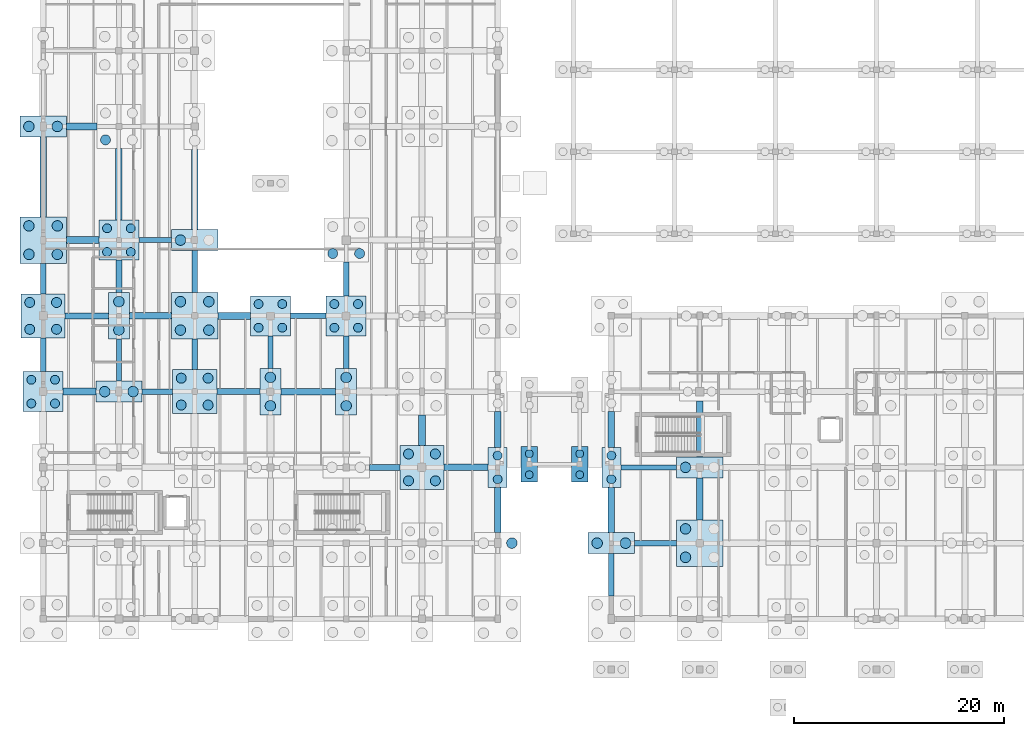
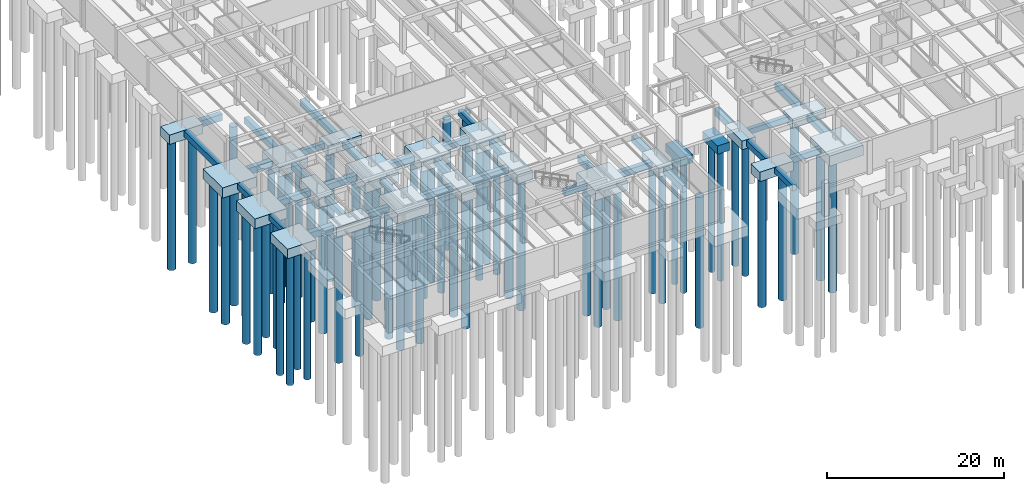
# One storey, part 2 of 63: 64 piles, 57 footings.
"""IFC4 building model written with IfcOpenShell, lengths in metres."""

from ifc_helpers import new_model, si_unit, direction, frame, origin, origin_2d, place, context, subcontext, project, spatial, rectangle, circle, extrude, material, material_profile, profile_set, type_object, element, save


model = new_model("IFC4")

# Units and contexts
model_context = context("Model", 3, precision=1e-05, world=origin(), true_north=direction((0.0, 1.0)))
body_context = subcontext(model_context, "Body", "Model", "MODEL_VIEW")
ifc_project = project(units=[si_unit("LENGTHUNIT", "METRE"), si_unit("AREAUNIT", "SQUARE_METRE"), si_unit("VOLUMEUNIT", "CUBIC_METRE"), si_unit("PLANEANGLEUNIT", "RADIAN"), si_unit("MASSUNIT", "GRAM", prefix="KILO")], contexts=[model_context])

# Site, building, storey
site_placement = place(None, origin())
site = spatial("IfcSite", under=ifc_project, at=site_placement, CompositionType="ELEMENT")
building_placement = place(site_placement, origin())
building = spatial("IfcBuilding", under=site, at=building_placement, Name="Mazaris Harbour Polytechnic", CompositionType="ELEMENT")
storey_placement = place(building_placement, frame((0.0, 0.0, -4.5)))
storey = spatial("IfcBuildingStorey", under=building, at=storey_placement, Name="B1", CompositionType="ELEMENT", Elevation=-4.5)

# Piles
ifc_material_1 = material(Name="Concrete C35/45", Category="concrete")
ifc_material_profile_1 = material_profile(ifc_material_1, circle(Radius=0.5, at=origin_2d()), Name="DIA1000")
ifc_profile_set_1 = profile_set([ifc_material_profile_1], Name="Concrete C35/45")
pile_type_1 = type_object("IfcPileType", Name="Bored Pile 1000", PredefinedType="BORED", material=ifc_profile_set_1)
for number, where, z_axis, x_axis, name in (
    (1, (52.64990234375, 14.39990234375, -1.6201171875), (0.0, 0.0, -1.0), (1.0, 0.0, 0.0), "Bored Pile BP-113-1"),
    (2, (55.35009765625, 14.39990234375, -1.6201171875), (0.0, 0.0, -1.0), (1.0, 0.0, 0.0), "Bored Pile BP-113-2"),
    (3, (61.050048828125, 13.050048828125, -1.719970703125), (0.0, 0.0, -1.0), (1.0, 0.0, 0.0), "Bored Pile BP-118-1"),
    (4, (61.050048828125, 15.75, -1.719970703125), (0.0, 0.0, -1.0), (1.0, 0.0, 0.0), "Bored Pile BP-118-3"),
    (5, (61.050048828125, 21.60009765625, -1.6201171875), (0.0, 0.0, -1.0), (1.0, 0.0, 0.0), "Bored Pile BP-119-1"),
    (6, (-1.35009765625, 41.85009765625, -1.719970703125), (0.0, 0.0, -1.0), (1.0, 0.0, 0.0), "Bored Pile BP-157-1"),
    (7, (1.35009765625, 41.85009765625, -1.719970703125), (0.0, 0.0, -1.0), (1.0, 0.0, 0.0), "Bored Pile BP-157-2"),
    (8, (-1.35009765625, 44.550048828125, -1.719970703125), (0.0, 0.0, -1.0), (1.0, 0.0, 0.0), "Bored Pile BP-157-3"),
    (9, (1.35009765625, 44.550048828125, -1.719970703125), (0.0, 0.0, -1.0), (1.0, 0.0, 0.0), "Bored Pile BP-157-4"),
    (10, (-1.35009765625, 54.0, -1.6201171875), (0.0, 0.0, -1.0), (1.0, 0.0, 0.0), "Bored Pile BP-158-1"),
    (11, (1.35009765625, 54.0, -1.6201171875), (0.0, 0.0, -1.0), (1.0, 0.0, 0.0), "Bored Pile BP-158-2"),
    (12, (5.85009765625, 28.800048828125, -1.6201171875), (0.0, 0.0, -1.0), (1.0, 0.0, 0.0), "Bored Pile BP-168-1"),
    (13, (8.550048828125, 28.800048828125, -1.6201171875), (0.0, 0.0, -1.0), (1.0, 0.0, 0.0), "Bored Pile BP-168-2"),
    (14, (7.199951171875, 34.64990234375, -1.6201171875), (0.0, 0.0, -1.0), (1.0, 0.0, 0.0), "Bored Pile BP-169-1"),
    (15, (7.199951171875, 37.35009765625, -1.6201171875), (0.0, 0.0, -1.0), (1.0, 0.0, 0.0), "Bored Pile BP-169-2"),
    (16, (13.050048828125, 34.64990234375, -1.719970703125), (0.0, 0.0, -1.0), (1.0, 0.0, 0.0), "Bored Pile BP-182-1"),
    (17, (15.75, 34.64990234375, -1.719970703125), (0.0, 0.0, -1.0), (1.0, 0.0, 0.0), "Bored Pile BP-182-2"),
    (18, (13.050048828125, 37.35009765625, -1.719970703125), (0.0, 0.0, -1.0), (1.0, 0.0, 0.0), "Bored Pile BP-182-3"),
    (19, (15.75, 37.35009765625, -1.719970703125), (0.0, 0.0, -1.0), (1.0, 0.0, 0.0), "Bored Pile BP-182-4"),
    (20, (13.050048828125, 43.199951171875, -1.6201171875), (0.0, 0.0, -1.0), (1.0, 0.0, 0.0), "Bored Pile BP-183-1"),
    (21, (21.60009765625, 27.449951171875, -1.6201171875), (0.0, 0.0, -1.0), (1.0, 0.0, 0.0), "Bored Pile BP-194-1"),
    (22, (21.60009765625, 30.14990234375, -1.6201171875), (0.0, 0.0, -1.0), (1.0, 0.0, 0.0), "Bored Pile BP-194-2"),
    (23, (28.800048828125, 27.449951171875, -1.6201171875), (0.0, 0.0, -1.0), (1.0, 0.0, 0.0), "Bored Pile BP-204-1"),
    (24, (28.800048828125, 30.14990234375, -1.6201171875), (0.0, 0.0, -1.0), (1.0, 0.0, 0.0), "Bored Pile BP-204-2"),
    (25, (44.550048828125, 14.39990234375, -1.6201171875), (0.0, 0.0, -1.0), (1.0, 0.0, 0.0), "Bored Pile BP-228-2"),
):
    element("IfcPile", number, at=place(storey_placement, frame(where, z_axis=z_axis, x_axis=x_axis)), inside=storey, type_object=pile_type_1, Name=name, PredefinedType="BORED", context=body_context, shape_type="SweptSolid", body=[
        extrude(circle(Radius=0.5, at=origin_2d()), origin(), (0.0, 0.0, 1.0), 18.0),
    ])
ifc_material_2 = material(Name="Concrete C35/45", Category="concrete")
ifc_material_profile_2 = material_profile(ifc_material_2, circle(Radius=0.375, at=origin_2d()), Name="DIA750")
ifc_profile_set_2 = profile_set([ifc_material_profile_2], Name="Concrete C35/45")
pile_type_2 = type_object("IfcPileType", Name="Bored Pile 750", PredefinedType="BORED", material=ifc_profile_set_2)
for number, where, z_axis, x_axis, name in (
    (26, (46.199951171875, 20.90625, -1.429931640625), (0.0, 0.0, -1.0), (1.0, 0.0, 0.0), "Bored Pile BP-314-1"),
    (27, (46.199951171875, 22.893798828125, -1.429931640625), (0.0, 0.0, -1.0), (1.0, 0.0, 0.0), "Bored Pile BP-314-2"),
    (28, (51.0, 20.90625, -1.429931640625), (0.0, 0.0, -1.0), (1.0, 0.0, 0.0), "Bored Pile BP-316-1"),
    (29, (51.0, 22.893798828125, -1.429931640625), (0.0, 0.0, -1.0), (1.0, 0.0, 0.0), "Bored Pile BP-316-2"),
):
    element("IfcPile", number, at=place(storey_placement, frame(where, z_axis=z_axis, x_axis=x_axis)), inside=storey, type_object=pile_type_2, Name=name, PredefinedType="BORED", context=body_context, shape_type="SweptSolid", body=[
        extrude(circle(Radius=0.375, at=origin_2d()), origin(), (0.0, 0.0, 1.0), 18.0),
    ])
ifc_material_3 = material(Name="Concrete C35/45", Category="concrete")
ifc_material_profile_3 = material_profile(ifc_material_3, circle(Radius=0.425048828125, at=origin_2d()), Name="DIA850")
ifc_profile_set_3 = profile_set([ifc_material_profile_3], Name="Concrete C35/45")
pile_type_3 = type_object("IfcPileType", Name="Bored Pile 850", PredefinedType="BORED", material=ifc_profile_set_3)
for number, where, z_axis, x_axis, name in (
    (30, (54.0, 20.473876953125, -1.52001953125), (0.0, 0.0, -1.0), (1.0, 0.0, 0.0), "Bored Pile BP-114-1"),
    (31, (54.0, 22.726318359375, -1.52001953125), (0.0, 0.0, -1.0), (1.0, 0.0, 0.0), "Bored Pile BP-114-2"),
    (32, (-1.126220703125, 27.673828125, -1.6201171875), (0.0, 0.0, -1.0), (1.0, 0.0, 0.0), "Bored Pile BP-155-1"),
    (33, (1.126220703125, 27.673828125, -1.6201171875), (0.0, 0.0, -1.0), (1.0, 0.0, 0.0), "Bored Pile BP-155-2"),
    (34, (-1.126220703125, 29.92626953125, -1.6201171875), (0.0, 0.0, -1.0), (1.0, 0.0, 0.0), "Bored Pile BP-155-3"),
    (35, (1.126220703125, 29.92626953125, -1.6201171875), (0.0, 0.0, -1.0), (1.0, 0.0, 0.0), "Bored Pile BP-155-4"),
    (36, (6.07373046875, 42.07373046875, -1.6201171875), (0.0, 0.0, -1.0), (1.0, 0.0, 0.0), "Bored Pile BP-170-1"),
    (37, (8.326171875, 42.07373046875, -1.6201171875), (0.0, 0.0, -1.0), (1.0, 0.0, 0.0), "Bored Pile BP-170-2"),
    (38, (6.07373046875, 44.326171875, -1.6201171875), (0.0, 0.0, -1.0), (1.0, 0.0, 0.0), "Bored Pile BP-170-3"),
    (39, (8.326171875, 44.326171875, -1.6201171875), (0.0, 0.0, -1.0), (1.0, 0.0, 0.0), "Bored Pile BP-170-4"),
    (40, (20.473876953125, 34.873779296875, -1.6201171875), (0.0, 0.0, -1.0), (1.0, 0.0, 0.0), "Bored Pile BP-195-1"),
    (41, (22.726318359375, 34.873779296875, -1.6201171875), (0.0, 0.0, -1.0), (1.0, 0.0, 0.0), "Bored Pile BP-195-2"),
    (42, (20.473876953125, 37.126220703125, -1.6201171875), (0.0, 0.0, -1.0), (1.0, 0.0, 0.0), "Bored Pile BP-195-3"),
    (43, (22.726318359375, 37.126220703125, -1.6201171875), (0.0, 0.0, -1.0), (1.0, 0.0, 0.0), "Bored Pile BP-195-4"),
    (44, (27.673828125, 34.873779296875, -1.6201171875), (0.0, 0.0, -1.0), (1.0, 0.0, 0.0), "Bored Pile BP-205-1"),
    (45, (29.92626953125, 34.873779296875, -1.6201171875), (0.0, 0.0, -1.0), (1.0, 0.0, 0.0), "Bored Pile BP-205-2"),
    (46, (27.673828125, 37.126220703125, -1.6201171875), (0.0, 0.0, -1.0), (1.0, 0.0, 0.0), "Bored Pile BP-205-3"),
    (47, (29.92626953125, 37.126220703125, -1.6201171875), (0.0, 0.0, -1.0), (1.0, 0.0, 0.0), "Bored Pile BP-205-4"),
    (48, (43.199951171875, 20.473876953125, -1.52001953125), (0.0, 0.0, -1.0), (1.0, 0.0, 0.0), "Bored Pile BP-229-1"),
    (49, (43.199951171875, 22.726318359375, -1.52001953125), (0.0, 0.0, -1.0), (1.0, 0.0, 0.0), "Bored Pile BP-229-2"),
):
    element("IfcPile", number, at=place(storey_placement, frame(where, z_axis=z_axis, x_axis=x_axis)), inside=storey, type_object=pile_type_3, Name=name, PredefinedType="BORED", context=body_context, shape_type="SweptSolid", body=[
        extrude(circle(Radius=0.425048828125, at=origin_2d()), origin(), (0.0, 0.0, 1.0), 18.0),
    ])
ifc_material_4 = material(Name="Concrete C35/45", Category="concrete")
ifc_material_profile_4 = material_profile(ifc_material_4, circle(Radius=0.47509765625, at=origin_2d()), Name="DIA950")
ifc_profile_set_4 = profile_set([ifc_material_profile_4], Name="Concrete C35/45")
pile_type_4 = type_object("IfcPileType", Name="Bored Pile 950", PredefinedType="BORED", material=ifc_profile_set_4)
for number, where, z_axis, x_axis, name in (
    (50, (-1.27490234375, 34.72509765625, -1.669921875), (0.0, 0.0, -1.0), (1.0, 0.0, 0.0), "Bored Pile BP-156-1"),
    (51, (1.27490234375, 34.72509765625, -1.669921875), (0.0, 0.0, -1.0), (1.0, 0.0, 0.0), "Bored Pile BP-156-2"),
    (52, (-1.27490234375, 37.27490234375, -1.669921875), (0.0, 0.0, -1.0), (1.0, 0.0, 0.0), "Bored Pile BP-156-3"),
    (53, (1.27490234375, 37.27490234375, -1.669921875), (0.0, 0.0, -1.0), (1.0, 0.0, 0.0), "Bored Pile BP-156-4"),
    (54, (5.925048828125, 52.72509765625, -1.669921875), (0.0, 0.0, -1.0), (1.0, 0.0, 0.0), "Bored Pile BP-171-1"),
    (55, (13.125, 27.52490234375, -1.669921875), (0.0, 0.0, -1.0), (1.0, 0.0, 0.0), "Bored Pile BP-181-1"),
    (56, (15.675048828125, 27.52490234375, -1.669921875), (0.0, 0.0, -1.0), (1.0, 0.0, 0.0), "Bored Pile BP-181-2"),
    (57, (13.125, 30.074951171875, -1.669921875), (0.0, 0.0, -1.0), (1.0, 0.0, 0.0), "Bored Pile BP-181-3"),
    (58, (15.675048828125, 30.074951171875, -1.669921875), (0.0, 0.0, -1.0), (1.0, 0.0, 0.0), "Bored Pile BP-181-4"),
    (59, (27.52490234375, 41.925048828125, -1.669921875), (0.0, 0.0, -1.0), (1.0, 0.0, 0.0), "Bored Pile BP-206-1"),
    (60, (30.074951171875, 41.925048828125, -1.669921875), (0.0, 0.0, -1.0), (1.0, 0.0, 0.0), "Bored Pile BP-206-2"),
    (61, (34.72509765625, 20.324951171875, -1.669921875), (0.0, 0.0, -1.0), (1.0, 0.0, 0.0), "Bored Pile BP-216-1"),
    (62, (37.27490234375, 20.324951171875, -1.669921875), (0.0, 0.0, -1.0), (1.0, 0.0, 0.0), "Bored Pile BP-216-2"),
    (63, (34.72509765625, 22.875, -1.669921875), (0.0, 0.0, -1.0), (1.0, 0.0, 0.0), "Bored Pile BP-216-3"),
    (64, (37.27490234375, 22.875, -1.669921875), (0.0, 0.0, -1.0), (1.0, 0.0, 0.0), "Bored Pile BP-216-4"),
):
    element("IfcPile", number, at=place(storey_placement, frame(where, z_axis=z_axis, x_axis=x_axis)), inside=storey, type_object=pile_type_4, Name=name, PredefinedType="BORED", context=body_context, shape_type="SweptSolid", body=[
        extrude(circle(Radius=0.47509765625, at=origin_2d()), origin(), (0.0, 0.0, 1.0), 18.0),
    ])

# Footings
ifc_material_5 = material(Name="Concrete C35/45", Category="concrete")
footing_type_1 = type_object("IfcFootingType", Name="Pile Cap 1600x3400x1150", PredefinedType="PILE_CAP", material=ifc_material_5)
for number, where, z_axis, x_axis, name in (
    (65, (46.199951171875, 21.89990234375, -1.530029296875), (0.0, 0.0, 1.0), (1.0, 0.0, 0.0), "Pile Cap CAP-314"),
    (66, (51.0, 21.89990234375, -1.530029296875), (0.0, 0.0, 1.0), (1.0, 0.0, 0.0), "Pile Cap CAP-316"),
):
    element("IfcFooting", number, at=place(storey_placement, frame(where, z_axis=z_axis, x_axis=x_axis)), inside=storey, type_object=footing_type_1, Name=name, PredefinedType="PILE_CAP", context=body_context, shape_type="SweptSolid", body=[
        extrude(rectangle(XDim=1.60009765625, YDim=3.39990234375, at=origin_2d()), origin(), (0.0, 0.0, 1.0), 1.14990234375),
    ])
ifc_material_6 = material(Name="Concrete C35/45", Category="concrete")
footing_type_2 = type_object("IfcFootingType", Name="Pile Cap 1800x3800x1200", PredefinedType="PILE_CAP", material=ifc_material_6)
for number, where, z_axis, x_axis, name in (
    (67, (54.0, 21.60009765625, -1.6201171875), (0.0, 0.0, 1.0), (1.0, 0.0, 0.0), "Pile Cap CAP-114"),
    (68, (43.199951171875, 21.60009765625, -1.6201171875), (0.0, 0.0, 1.0), (1.0, 0.0, 0.0), "Pile Cap CAP-229"),
):
    element("IfcFooting", number, at=place(storey_placement, frame(where, z_axis=z_axis, x_axis=x_axis)), inside=storey, type_object=footing_type_2, Name=name, PredefinedType="PILE_CAP", context=body_context, shape_type="SweptSolid", body=[
        extrude(rectangle(XDim=1.800048828125, YDim=3.800048828125, at=origin_2d()), origin(), (0.0, 0.0, 1.0), 1.199951171875),
    ])
ifc_material_7 = material(Name="Concrete C35/45", Category="concrete")
footing_type_3 = type_object("IfcFootingType", Name="Pile Cap 2000x4400x1300", PredefinedType="PILE_CAP", material=ifc_material_7)
for number, where, z_axis, x_axis, name in (
    (69, (7.199951171875, 36.0, -1.72021484375), (0.0, 0.0, 1.0), (1.0, 0.0, 0.0), "Pile Cap CAP-169"),
    (70, (21.60009765625, 28.800048828125, -1.72021484375), (0.0, 0.0, 1.0), (1.0, 0.0, 0.0), "Pile Cap CAP-194"),
    (71, (28.800048828125, 28.800048828125, -1.72021484375), (0.0, 0.0, 1.0), (1.0, 0.0, 0.0), "Pile Cap CAP-204"),
):
    element("IfcFooting", number, at=place(storey_placement, frame(where, z_axis=z_axis, x_axis=x_axis)), inside=storey, type_object=footing_type_3, Name=name, PredefinedType="PILE_CAP", context=body_context, shape_type="SweptSolid", body=[
        extrude(rectangle(XDim=2.0, YDim=4.39990234375, at=origin_2d()), origin(), (0.0, 0.0, 1.0), 1.300048828125),
    ])
ifc_material_8 = material(Name="Concrete C35/45", Category="concrete")
footing_type_4 = type_object("IfcFootingType", Name="Pile Cap 3800x3800x1300", PredefinedType="PILE_CAP", material=ifc_material_8)
for number, where, z_axis, x_axis, name in (
    (72, (0.0, 28.800048828125, -1.72021484375), (0.0, 0.0, 1.0), (1.0, 0.0, 0.0), "Pile Cap CAP-155"),
    (73, (7.199951171875, 43.199951171875, -1.72021484375), (0.0, 0.0, 1.0), (1.0, 0.0, 0.0), "Pile Cap CAP-170"),
    (74, (21.60009765625, 36.0, -1.72021484375), (0.0, 0.0, 1.0), (1.0, 0.0, 0.0), "Pile Cap CAP-195"),
    (75, (28.800048828125, 36.0, -1.72021484375), (0.0, 0.0, 1.0), (1.0, 0.0, 0.0), "Pile Cap CAP-205"),
):
    element("IfcFooting", number, at=place(storey_placement, frame(where, z_axis=z_axis, x_axis=x_axis)), inside=storey, type_object=footing_type_4, Name=name, PredefinedType="PILE_CAP", context=body_context, shape_type="SweptSolid", body=[
        extrude(rectangle(XDim=3.800048828125, YDim=3.800048828125, at=origin_2d()), origin(), (0.0, 0.0, 1.0), 1.300048828125),
    ])
ifc_material_9 = material(Name="Concrete C35/45", Category="concrete")
footing_type_5 = type_object("IfcFootingType", Name="Pile Cap 4200x4200x1350", PredefinedType="PILE_CAP", material=ifc_material_9)
for number, where, z_axis, x_axis, name in (
    (76, (0.0, 36.0, -1.77001953125), (0.0, 0.0, 1.0), (1.0, 0.0, 0.0), "Pile Cap CAP-156"),
    (77, (14.39990234375, 28.800048828125, -1.77001953125), (0.0, 0.0, 1.0), (1.0, 0.0, 0.0), "Pile Cap CAP-181"),
    (78, (36.0, 21.60009765625, -1.77001953125), (0.0, 0.0, 1.0), (1.0, 0.0, 0.0), "Pile Cap CAP-216"),
):
    element("IfcFooting", number, at=place(storey_placement, frame(where, z_axis=z_axis, x_axis=x_axis)), inside=storey, type_object=footing_type_5, Name=name, PredefinedType="PILE_CAP", context=body_context, shape_type="SweptSolid", body=[
        extrude(rectangle(XDim=4.199951171875, YDim=4.199951171875, at=origin_2d()), origin(), (0.0, 0.0, 1.0), 1.35009765625),
    ])
ifc_material_10 = material(Name="Concrete C35/45", Category="concrete")
footing_type_6 = type_object("IfcFootingType", Name="Pile Cap 4400x2000x1300", PredefinedType="PILE_CAP", material=ifc_material_10)
for number, where, z_axis, x_axis, name in (
    (79, (54.0, 14.39990234375, -1.72021484375), (0.0, 0.0, 1.0), (1.0, 0.0, 0.0), "Pile Cap CAP-113"),
    (80, (62.39990234375, 21.60009765625, -1.72021484375), (0.0, 0.0, 1.0), (1.0, 0.0, 0.0), "Pile Cap CAP-119"),
    (81, (0.0, 54.0, -1.72021484375), (0.0, 0.0, 1.0), (1.0, 0.0, 0.0), "Pile Cap CAP-158"),
    (82, (7.199951171875, 28.800048828125, -1.72021484375), (0.0, 0.0, 1.0), (1.0, 0.0, 0.0), "Pile Cap CAP-168"),
    (83, (14.39990234375, 43.199951171875, -1.72021484375), (0.0, 0.0, 1.0), (1.0, 0.0, 0.0), "Pile Cap CAP-183"),
):
    element("IfcFooting", number, at=place(storey_placement, frame(where, z_axis=z_axis, x_axis=x_axis)), inside=storey, type_object=footing_type_6, Name=name, PredefinedType="PILE_CAP", context=body_context, shape_type="SweptSolid", body=[
        extrude(rectangle(XDim=4.39990234375, YDim=2.0, at=origin_2d()), origin(), (0.0, 0.0, 1.0), 1.300048828125),
    ])
ifc_material_11 = material(Name="Concrete C35/45", Category="concrete")
footing_type_7 = type_object("IfcFootingType", Name="Pile Cap 4400x4400x1400", PredefinedType="PILE_CAP", material=ifc_material_11)
for number, where, z_axis, x_axis, name in (
    (84, (62.39990234375, 14.39990234375, -1.820068359375), (0.0, 0.0, 1.0), (1.0, 0.0, 0.0), "Pile Cap CAP-118"),
    (85, (0.0, 43.199951171875, -1.820068359375), (0.0, 0.0, 1.0), (1.0, 0.0, 0.0), "Pile Cap CAP-157"),
    (86, (14.39990234375, 36.0, -1.820068359375), (0.0, 0.0, 1.0), (1.0, 0.0, 0.0), "Pile Cap CAP-182"),
):
    element("IfcFooting", number, at=place(storey_placement, frame(where, z_axis=z_axis, x_axis=x_axis)), inside=storey, type_object=footing_type_7, Name=name, PredefinedType="PILE_CAP", context=body_context, shape_type="SweptSolid", body=[
        extrude(rectangle(XDim=4.39990234375, YDim=4.39990234375, at=origin_2d()), origin(), (0.0, 0.0, 1.0), 1.39990234375),
    ])
ifc_material_12 = material(Name="Concrete C35/45", Category="concrete")
ifc_material_profile_5 = material_profile(ifc_material_12, rectangle(XDim=0.5, YDim=0.75, at=origin_2d()), Name="RECT500x750")
ifc_profile_set_5 = profile_set([ifc_material_profile_5], Name="Concrete C35/45")
footing_type_8 = type_object("IfcFootingType", Name="Seismic Tie Beam 500x750", PredefinedType="FOOTING_BEAM", material=ifc_profile_set_5)
footing_1_placement = place(storey_placement, frame((54.89990234375, 21.60009765625, -0.8349609375), z_axis=(1.0, 0.0, 0.0), x_axis=(0.0, 1.0, 0.0)))
element("IfcFooting", 87, at=footing_1_placement, inside=storey, type_object=footing_type_8, Name="Seismic Tie Beam FTB-200", PredefinedType="FOOTING_BEAM", context=body_context, shape_type="SweptSolid", body=[
    extrude(rectangle(XDim=0.5, YDim=0.75, at=origin_2d()), origin(), (0.0, 0.0, 1.0), 5.300048828125),
])
footing_2_placement = place(storey_placement, frame((9.39990234375, 28.800048828125, -0.8349609375), z_axis=(1.0, 0.0, 0.0), x_axis=(0.0, 1.0, 0.0)))
element("IfcFooting", 88, at=footing_2_placement, inside=storey, type_object=footing_type_8, Name="Seismic Tie Beam FTB-272", PredefinedType="FOOTING_BEAM", context=body_context, shape_type="SweptSolid", body=[
    extrude(rectangle(XDim=0.5, YDim=0.75, at=origin_2d()), origin(), (0.0, 0.0, 1.0), 2.900146484375),
])
footing_3_placement = place(storey_placement, frame((23.5, 36.0, -0.8349609375), z_axis=(1.0, 0.0, 0.0), x_axis=(0.0, 1.0, 0.0)))
element("IfcFooting", 89, at=footing_3_placement, inside=storey, type_object=footing_type_8, Name="Seismic Tie Beam FTB-280", PredefinedType="FOOTING_BEAM", context=body_context, shape_type="SweptSolid", body=[
    extrude(rectangle(XDim=0.5, YDim=0.75, at=origin_2d()), origin(), (0.0, 0.0, 1.0), 3.39990234375),
])
footing_4_placement = place(storey_placement, frame((9.10009765625, 43.199951171875, -0.8349609375), z_axis=(1.0, 0.0, 0.0), x_axis=(0.0, 1.0, 0.0)))
element("IfcFooting", 90, at=footing_4_placement, inside=storey, type_object=footing_type_8, Name="Seismic Tie Beam FTB-284", PredefinedType="FOOTING_BEAM", context=body_context, shape_type="SweptSolid", body=[
    extrude(rectangle(XDim=0.5, YDim=0.75, at=origin_2d()), origin(), (0.0, 0.0, 1.0), 3.099853515625),
])
footing_5_placement = place(storey_placement, frame((0.0, 30.699951171875, -0.8349609375), z_axis=(0.0, 1.0, 0.0), x_axis=(-1.0, 0.0, 0.0)))
element("IfcFooting", 91, at=footing_5_placement, inside=storey, type_object=footing_type_8, Name="Seismic Tie Beam FTB-328", PredefinedType="FOOTING_BEAM", context=body_context, shape_type="SweptSolid", body=[
    extrude(rectangle(XDim=0.5, YDim=0.75, at=origin_2d()), origin(), (0.0, 0.0, 1.0), 3.199951171875),
])
footing_6_placement = place(storey_placement, frame((7.199951171875, 29.800048828125, -0.8349609375), z_axis=(0.0, 1.0, 0.0), x_axis=(-1.0, 0.0, 0.0)))
element("IfcFooting", 92, at=footing_6_placement, inside=storey, type_object=footing_type_8, Name="Seismic Tie Beam FTB-340", PredefinedType="FOOTING_BEAM", context=body_context, shape_type="SweptSolid", body=[
    extrude(rectangle(XDim=0.5, YDim=0.75, at=origin_2d()), origin(), (0.0, 0.0, 1.0), 4.0),
])
footing_7_placement = place(storey_placement, frame((14.39990234375, 30.89990234375, -0.8349609375), z_axis=(0.0, 1.0, 0.0), x_axis=(-1.0, 0.0, 0.0)))
element("IfcFooting", 93, at=footing_7_placement, inside=storey, type_object=footing_type_8, Name="Seismic Tie Beam FTB-352", PredefinedType="FOOTING_BEAM", context=body_context, shape_type="SweptSolid", body=[
    extrude(rectangle(XDim=0.5, YDim=0.75, at=origin_2d()), origin(), (0.0, 0.0, 1.0), 2.900146484375),
])
for number, where, z_axis, x_axis, name in (
    (94, (21.60009765625, 31.0, -0.8349609375), (0.0, 1.0, 0.0), (-1.0, 0.0, 0.0), "Seismic Tie Beam FTB-364"),
    (95, (28.800048828125, 31.0, -0.8349609375), (0.0, 1.0, 0.0), (-1.0, 0.0, 0.0), "Seismic Tie Beam FTB-372"),
):
    element("IfcFooting", number, at=place(storey_placement, frame(where, z_axis=z_axis, x_axis=x_axis)), inside=storey, type_object=footing_type_8, Name=name, PredefinedType="FOOTING_BEAM", context=body_context, shape_type="SweptSolid", body=[
        extrude(rectangle(XDim=0.5, YDim=0.75, at=origin_2d()), origin(), (0.0, 0.0, 1.0), 3.10009765625),
    ])
ifc_material_13 = material(Name="Concrete C35/45", Category="concrete")
ifc_material_profile_6 = material_profile(ifc_material_13, rectangle(XDim=0.550048828125, YDim=0.800048828125, at=origin_2d()), Name="RECT550x800")
ifc_profile_set_6 = profile_set([ifc_material_profile_6], Name="Concrete C35/45")
footing_type_9 = type_object("IfcFootingType", Name="Seismic Tie Beam 550x800", PredefinedType="FOOTING_BEAM", material=ifc_profile_set_6)
for number, where, z_axis, x_axis, name in (
    (96, (56.199951171875, 14.39990234375, -0.860107421875), (1.0, 0.0, 0.0), (0.0, 1.0, 0.0), "Seismic Tie Beam FTB-193"),
    (97, (54.0, 9.39990234375, -0.860107421875), (0.0, 1.0, 0.0), (-1.0, 0.0, 0.0), "Seismic Tie Beam FTB-221"),
):
    element("IfcFooting", number, at=place(storey_placement, frame(where, z_axis=z_axis, x_axis=x_axis)), inside=storey, type_object=footing_type_9, Name=name, PredefinedType="FOOTING_BEAM", context=body_context, shape_type="SweptSolid", body=[
        extrude(rectangle(XDim=0.550048828125, YDim=0.800048828125, at=origin_2d()), origin(), (0.0, 0.0, 1.0), 4.0),
    ])
footing_8_placement = place(storey_placement, frame((31.0, 21.60009765625, -0.860107421875), z_axis=(1.0, 0.0, 0.0), x_axis=(0.0, 1.0, 0.0)))
element("IfcFooting", 98, at=footing_8_placement, inside=storey, type_object=footing_type_9, Name="Seismic Tie Beam FTB-269", PredefinedType="FOOTING_BEAM", context=body_context, shape_type="SweptSolid", body=[
    extrude(rectangle(XDim=0.550048828125, YDim=0.800048828125, at=origin_2d()), origin(), (0.0, 0.0, 1.0), 2.89990234375),
])
footing_9_placement = place(storey_placement, frame((16.5, 28.800048828125, -0.860107421875), z_axis=(1.0, 0.0, 0.0), x_axis=(0.0, 1.0, 0.0)))
element("IfcFooting", 99, at=footing_9_placement, inside=storey, type_object=footing_type_9, Name="Seismic Tie Beam FTB-273", PredefinedType="FOOTING_BEAM", context=body_context, shape_type="SweptSolid", body=[
    extrude(rectangle(XDim=0.550048828125, YDim=0.800048828125, at=origin_2d()), origin(), (0.0, 0.0, 1.0), 4.10009765625),
])
footing_10_placement = place(storey_placement, frame((2.10009765625, 36.0, -0.860107421875), z_axis=(1.0, 0.0, 0.0), x_axis=(0.0, 1.0, 0.0)))
element("IfcFooting", 100, at=footing_10_placement, inside=storey, type_object=footing_type_9, Name="Seismic Tie Beam FTB-277", PredefinedType="FOOTING_BEAM", context=body_context, shape_type="SweptSolid", body=[
    extrude(rectangle(XDim=0.550048828125, YDim=0.800048828125, at=origin_2d()), origin(), (0.0, 0.0, 1.0), 4.099853515625),
])
footing_11_placement = place(storey_placement, frame((0.0, 38.10009765625, -0.860107421875), z_axis=(0.0, 1.0, 0.0), x_axis=(-1.0, 0.0, 0.0)))
element("IfcFooting", 101, at=footing_11_placement, inside=storey, type_object=footing_type_9, Name="Seismic Tie Beam FTB-329", PredefinedType="FOOTING_BEAM", context=body_context, shape_type="SweptSolid", body=[
    extrude(rectangle(XDim=0.550048828125, YDim=0.800048828125, at=origin_2d()), origin(), (0.0, 0.0, 1.0), 2.89990234375),
])
footing_12_placement = place(storey_placement, frame((7.199951171875, 38.199951171875, -0.860107421875), z_axis=(0.0, 1.0, 0.0), x_axis=(-1.0, 0.0, 0.0)))
element("IfcFooting", 102, at=footing_12_placement, inside=storey, type_object=footing_type_9, Name="Seismic Tie Beam FTB-341", PredefinedType="FOOTING_BEAM", context=body_context, shape_type="SweptSolid", body=[
    extrude(rectangle(XDim=0.550048828125, YDim=0.800048828125, at=origin_2d()), origin(), (0.0, 0.0, 1.0), 3.10009765625),
])
footing_13_placement = place(storey_placement, frame((14.39990234375, 38.199951171875, -0.860107421875), z_axis=(0.0, 1.0, 0.0), x_axis=(-1.0, 0.0, 0.0)))
element("IfcFooting", 103, at=footing_13_placement, inside=storey, type_object=footing_type_9, Name="Seismic Tie Beam FTB-353", PredefinedType="FOOTING_BEAM", context=body_context, shape_type="SweptSolid", body=[
    extrude(rectangle(XDim=0.550048828125, YDim=0.800048828125, at=origin_2d()), origin(), (0.0, 0.0, 1.0), 4.0),
])
footing_14_placement = place(storey_placement, frame((28.800048828125, 37.89990234375, -0.860107421875), z_axis=(0.0, 1.0, 0.0), x_axis=(-1.0, 0.0, 0.0)))
element("IfcFooting", 104, at=footing_14_placement, inside=storey, type_object=footing_type_9, Name="Seismic Tie Beam FTB-373", PredefinedType="FOOTING_BEAM", context=body_context, shape_type="SweptSolid", body=[
    extrude(rectangle(XDim=0.550048828125, YDim=0.800048828125, at=origin_2d()), origin(), (0.0, 0.0, 1.0), 3.2001953125),
])
ifc_material_14 = material(Name="Concrete C35/45", Category="concrete")
ifc_material_profile_7 = material_profile(ifc_material_14, rectangle(XDim=0.60009765625, YDim=0.85009765625, at=origin_2d()), Name="RECT600x850")
ifc_profile_set_7 = profile_set([ifc_material_profile_7], Name="Concrete C35/45")
footing_type_10 = type_object("IfcFootingType", Name="Seismic Tie Beam 600x850", PredefinedType="FOOTING_BEAM", material=ifc_profile_set_7)
footing_15_placement = place(storey_placement, frame((54.0, 15.39990234375, -0.885009765625), z_axis=(0.0, 1.0, 0.0), x_axis=(-1.0, 0.0, 0.0)))
element("IfcFooting", 105, at=footing_15_placement, inside=storey, type_object=footing_type_10, Name="Seismic Tie Beam FTB-222", PredefinedType="FOOTING_BEAM", context=body_context, shape_type="SweptSolid", body=[
    extrude(rectangle(XDim=0.60009765625, YDim=0.85009765625, at=origin_2d()), origin(), (0.0, 0.0, 1.0), 4.300048828125),
])
footing_16_placement = place(storey_placement, frame((62.39990234375, 16.60009765625, -0.885009765625), z_axis=(0.0, 1.0, 0.0), x_axis=(-1.0, 0.0, 0.0)))
element("IfcFooting", 106, at=footing_16_placement, inside=storey, type_object=footing_type_10, Name="Seismic Tie Beam FTB-226", PredefinedType="FOOTING_BEAM", context=body_context, shape_type="SweptSolid", body=[
    extrude(rectangle(XDim=0.60009765625, YDim=0.85009765625, at=origin_2d()), origin(), (0.0, 0.0, 1.0), 4.0),
])
footing_17_placement = place(storey_placement, frame((38.10009765625, 21.60009765625, -0.885009765625), z_axis=(1.0, 0.0, 0.0), x_axis=(0.0, 1.0, 0.0)))
element("IfcFooting", 107, at=footing_17_placement, inside=storey, type_object=footing_type_10, Name="Seismic Tie Beam FTB-270", PredefinedType="FOOTING_BEAM", context=body_context, shape_type="SweptSolid", body=[
    extrude(rectangle(XDim=0.60009765625, YDim=0.85009765625, at=origin_2d()), origin(), (0.0, 0.0, 1.0), 4.199951171875),
])
footing_18_placement = place(storey_placement, frame((22.60009765625, 28.800048828125, -0.885009765625), z_axis=(1.0, 0.0, 0.0), x_axis=(0.0, 1.0, 0.0)))
element("IfcFooting", 108, at=footing_18_placement, inside=storey, type_object=footing_type_10, Name="Seismic Tie Beam FTB-274", PredefinedType="FOOTING_BEAM", context=body_context, shape_type="SweptSolid", body=[
    extrude(rectangle(XDim=0.60009765625, YDim=0.85009765625, at=origin_2d()), origin(), (0.0, 0.0, 1.0), 5.199951171875),
])
footing_19_placement = place(storey_placement, frame((8.199951171875, 36.0, -0.885009765625), z_axis=(1.0, 0.0, 0.0), x_axis=(0.0, 1.0, 0.0)))
element("IfcFooting", 109, at=footing_19_placement, inside=storey, type_object=footing_type_10, Name="Seismic Tie Beam FTB-278", PredefinedType="FOOTING_BEAM", context=body_context, shape_type="SweptSolid", body=[
    extrude(rectangle(XDim=0.60009765625, YDim=0.85009765625, at=origin_2d()), origin(), (0.0, 0.0, 1.0), 4.0),
])
footing_20_placement = place(storey_placement, frame((0.0, 45.39990234375, -0.885009765625), z_axis=(0.0, 1.0, 0.0), x_axis=(-1.0, 0.0, 0.0)))
element("IfcFooting", 110, at=footing_20_placement, inside=storey, type_object=footing_type_10, Name="Seismic Tie Beam FTB-330", PredefinedType="FOOTING_BEAM", context=body_context, shape_type="SweptSolid", body=[
    extrude(rectangle(XDim=0.60009765625, YDim=0.85009765625, at=origin_2d()), origin(), (0.0, 0.0, 1.0), 7.60009765625),
])
footing_21_placement = place(storey_placement, frame((7.199951171875, 45.10009765625, -0.885009765625), z_axis=(0.0, 1.0, 0.0), x_axis=(-1.0, 0.0, 0.0)))
element("IfcFooting", 111, at=footing_21_placement, inside=storey, type_object=footing_type_10, Name="Seismic Tie Beam FTB-342", PredefinedType="FOOTING_BEAM", context=body_context, shape_type="SweptSolid", body=[
    extrude(rectangle(XDim=0.60009765625, YDim=0.85009765625, at=origin_2d()), origin(), (0.0, 0.0, 1.0), 6.7998046875),
])
footing_22_placement = place(storey_placement, frame((14.39990234375, 44.199951171875, -0.885009765625), z_axis=(0.0, 1.0, 0.0), x_axis=(-1.0, 0.0, 0.0)))
element("IfcFooting", 112, at=footing_22_placement, inside=storey, type_object=footing_type_10, Name="Seismic Tie Beam FTB-354", PredefinedType="FOOTING_BEAM", context=body_context, shape_type="SweptSolid", body=[
    extrude(rectangle(XDim=0.60009765625, YDim=0.85009765625, at=origin_2d()), origin(), (0.0, 0.0, 1.0), 7.60009765625),
])
footing_23_placement = place(storey_placement, frame((43.199951171875, 15.39990234375, -0.885009765625), z_axis=(0.0, 1.0, 0.0), x_axis=(-1.0, 0.0, 0.0)))
element("IfcFooting", 113, at=footing_23_placement, inside=storey, type_object=footing_type_10, Name="Seismic Tie Beam FTB-394", PredefinedType="FOOTING_BEAM", context=body_context, shape_type="SweptSolid", body=[
    extrude(rectangle(XDim=0.60009765625, YDim=0.85009765625, at=origin_2d()), origin(), (0.0, 0.0, 1.0), 4.300048828125),
])
ifc_material_15 = material(Name="Concrete C35/45", Category="concrete")
ifc_material_profile_8 = material_profile(ifc_material_15, rectangle(XDim=0.64990234375, YDim=0.89990234375, at=origin_2d()), Name="RECT650x900")
ifc_profile_set_8 = profile_set([ifc_material_profile_8], Name="Concrete C35/45")
footing_type_11 = type_object("IfcFootingType", Name="Seismic Tie Beam 650x900", PredefinedType="FOOTING_BEAM", material=ifc_profile_set_8)
footing_24_placement = place(storey_placement, frame((54.0, 23.5, -0.909912109375), z_axis=(0.0, 1.0, 0.0), x_axis=(-1.0, 0.0, 0.0)))
element("IfcFooting", 114, at=footing_24_placement, inside=storey, type_object=footing_type_11, Name="Seismic Tie Beam FTB-223", PredefinedType="FOOTING_BEAM", context=body_context, shape_type="SweptSolid", body=[
    extrude(rectangle(XDim=0.64990234375, YDim=0.89990234375, at=origin_2d()), origin(), (0.0, 0.0, 1.0), 3.39990234375),
])
footing_25_placement = place(storey_placement, frame((62.39990234375, 22.60009765625, -0.909912109375), z_axis=(0.0, 1.0, 0.0), x_axis=(-1.0, 0.0, 0.0)))
element("IfcFooting", 115, at=footing_25_placement, inside=storey, type_object=footing_type_11, Name="Seismic Tie Beam FTB-227", PredefinedType="FOOTING_BEAM", context=body_context, shape_type="SweptSolid", body=[
    extrude(rectangle(XDim=0.64990234375, YDim=0.89990234375, at=origin_2d()), origin(), (0.0, 0.0, 1.0), 5.2998046875),
])
footing_26_placement = place(storey_placement, frame((1.89990234375, 28.800048828125, -0.909912109375), z_axis=(1.0, 0.0, 0.0), x_axis=(0.0, 1.0, 0.0)))
element("IfcFooting", 116, at=footing_26_placement, inside=storey, type_object=footing_type_11, Name="Seismic Tie Beam FTB-271", PredefinedType="FOOTING_BEAM", context=body_context, shape_type="SweptSolid", body=[
    extrude(rectangle(XDim=0.64990234375, YDim=0.89990234375, at=origin_2d()), origin(), (0.0, 0.0, 1.0), 3.10009765625),
])
footing_27_placement = place(storey_placement, frame((16.60009765625, 36.0, -0.909912109375), z_axis=(1.0, 0.0, 0.0), x_axis=(0.0, 1.0, 0.0)))
element("IfcFooting", 117, at=footing_27_placement, inside=storey, type_object=footing_type_11, Name="Seismic Tie Beam FTB-279", PredefinedType="FOOTING_BEAM", context=body_context, shape_type="SweptSolid", body=[
    extrude(rectangle(XDim=0.64990234375, YDim=0.89990234375, at=origin_2d()), origin(), (0.0, 0.0, 1.0), 3.099853515625),
])
footing_28_placement = place(storey_placement, frame((2.199951171875, 43.199951171875, -0.909912109375), z_axis=(1.0, 0.0, 0.0), x_axis=(0.0, 1.0, 0.0)))
element("IfcFooting", 118, at=footing_28_placement, inside=storey, type_object=footing_type_11, Name="Seismic Tie Beam FTB-283", PredefinedType="FOOTING_BEAM", context=body_context, shape_type="SweptSolid", body=[
    extrude(rectangle(XDim=0.64990234375, YDim=0.89990234375, at=origin_2d()), origin(), (0.0, 0.0, 1.0), 3.10009765625),
])
for number, where, z_axis, x_axis, name in (
    (119, (2.199951171875, 54.0, -0.909912109375), (1.0, 0.0, 0.0), (0.0, 1.0, 0.0), "Seismic Tie Beam FTB-287"),
    (120, (36.0, 23.699951171875, -0.909912109375), (0.0, 1.0, 0.0), (-1.0, 0.0, 0.0), "Seismic Tie Beam FTB-383"),
):
    element("IfcFooting", number, at=place(storey_placement, frame(where, z_axis=z_axis, x_axis=x_axis)), inside=storey, type_object=footing_type_11, Name=name, PredefinedType="FOOTING_BEAM", context=body_context, shape_type="SweptSolid", body=[
        extrude(rectangle(XDim=0.64990234375, YDim=0.89990234375, at=origin_2d()), origin(), (0.0, 0.0, 1.0), 2.900146484375),
    ])
footing_29_placement = place(storey_placement, frame((43.199951171875, 23.5, -0.909912109375), z_axis=(0.0, 1.0, 0.0), x_axis=(-1.0, 0.0, 0.0)))
element("IfcFooting", 121, at=footing_29_placement, inside=storey, type_object=footing_type_11, Name="Seismic Tie Beam FTB-395", PredefinedType="FOOTING_BEAM", context=body_context, shape_type="SweptSolid", body=[
    extrude(rectangle(XDim=0.64990234375, YDim=0.89990234375, at=origin_2d()), origin(), (0.0, 0.0, 1.0), 3.39990234375),
])

save(model, "model.ifc")
